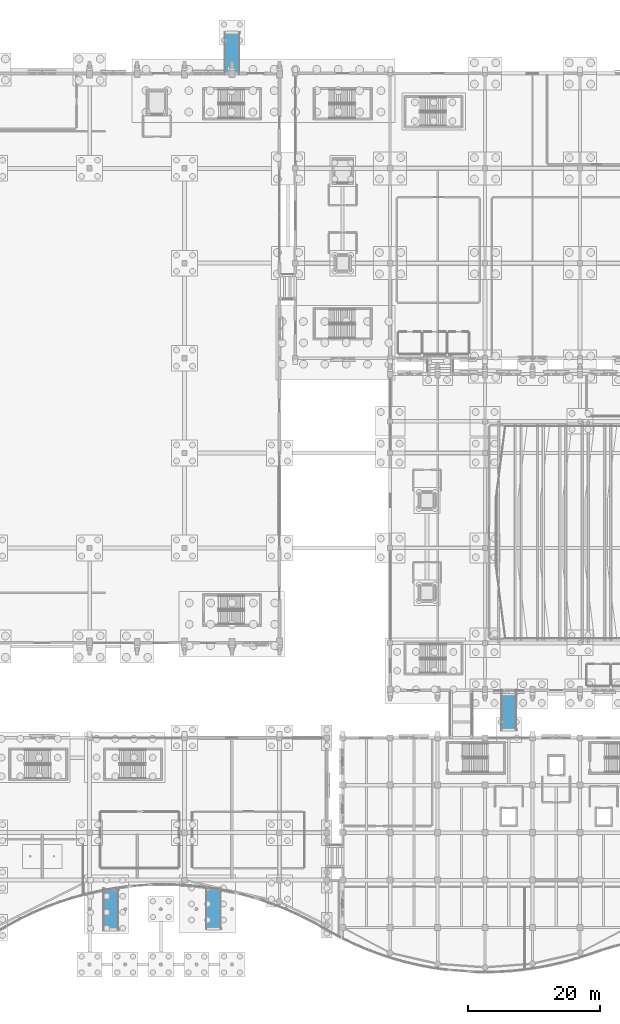
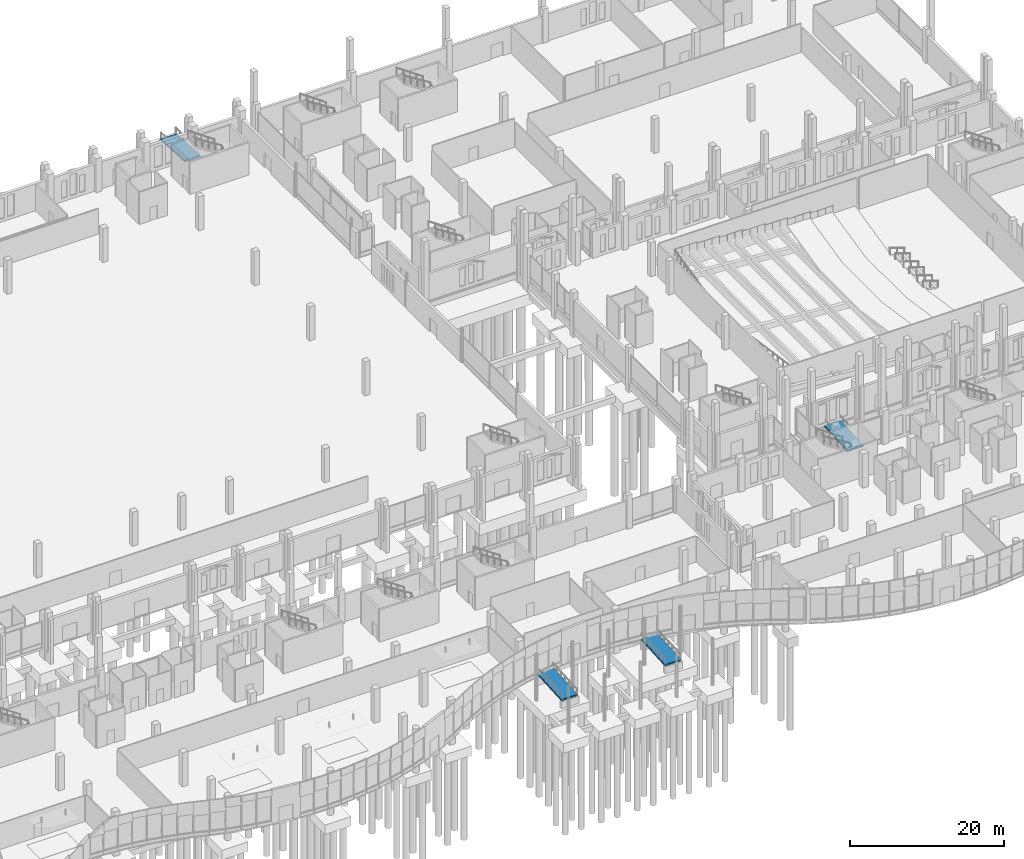
# One storey, part 169 of 192: 4 ramp flights, 4 elements without a shape of their own.
"""IFC4 building model written with IfcOpenShell, lengths in metres."""

from ifc_helpers import new_model, si_unit, direction, frame, origin, place, context, subcontext, project, spatial, triangles, material, layer, layer_set, type_object, element, aggregate, save


model = new_model("IFC4")

# Units and contexts
model_context = context("Model", 3, precision=1e-05, world=origin(), true_north=direction((0.0, 1.0)))
body_context = subcontext(model_context, "Body", "Model", "MODEL_VIEW")
ifc_project = project(units=[si_unit("LENGTHUNIT", "METRE"), si_unit("AREAUNIT", "SQUARE_METRE"), si_unit("VOLUMEUNIT", "CUBIC_METRE"), si_unit("PLANEANGLEUNIT", "RADIAN"), si_unit("MASSUNIT", "GRAM", prefix="KILO")], contexts=[model_context])

# Site, building, storey
site_placement = place(None, origin())
site = spatial("IfcSite", under=ifc_project, at=site_placement, CompositionType="ELEMENT")
building_placement = place(site_placement, origin())
building = spatial("IfcBuilding", under=site, at=building_placement, Name="Cendralis Lancet Convention Centre", CompositionType="ELEMENT")
storey_placement = place(building_placement, origin())
storey = spatial("IfcBuildingStorey", under=building, at=storey_placement, Name="L00", CompositionType="ELEMENT", Elevation=0.0)

# Ramp, ramp flight
ifc_material = material(Name="Concrete G35 (C35/45)", Category="concrete")
ramp_type = type_object("IfcRampType", Name="ARC-RP-PED1", PredefinedType="STRAIGHT_RUN_RAMP", material=ifc_material)
ramp_1_placement = place(storey_placement, origin())
ramp_1 = element("IfcRamp", 1, at=ramp_1_placement, inside=storey, type_object=ramp_type, Name="Accessible Boulevard Forecourt West Ramp RP-01", PredefinedType="STRAIGHT_RUN_RAMP")
ifc_layer = layer(ifc_material, 0.239990234375, Name="Concrete G35 (C35/45)")
ifc_layer_set = layer_set([ifc_layer], Name="Concrete G35 (C35/45)")
ramp_flight_type = type_object("IfcRampFlightType", Name="ARC-RF-FLT1", PredefinedType="STRAIGHT", material=ifc_layer_set)
ramp_flight_1_placement = place(storey_placement, frame((96.800048828125, 6.89990234375, -0.340087890625), z_axis=(0.0, 0.0, 1.0), x_axis=(0.0, 1.0, 0.0)))
ramp_flight_1 = element("IfcRampFlight", 2, at=ramp_flight_1_placement, type_object=ramp_flight_type, Name="Accessible Boulevard Forecourt West Ramp RP-01 Flight", PredefinedType="STRAIGHT", context=body_context, shape_type="Tessellation", body=[
    triangles([(0.0, 0.0, -0.119995), (0.0, 1.199951, -0.23999), (0.0, -1.199951, -0.23999), (0.0, -1.199951, 0.0), (0.0, 1.199951, 0.0), (0.15, 0.0, 0.0), (0.3, -1.199951, 0.0), (0.3, 1.199951, 0.0), (0.15, 0.0, -0.23999), (0.3, -1.199951, -0.23999), (0.3, 1.199951, -0.23999), (3.119507, 0.0, 0.170044), (5.939014, -1.199951, 0.340088), (5.939014, 1.199951, 0.340088), (3.119507, 0.0, -0.069946), (5.939014, -1.199951, 0.100098), (5.939014, 1.199951, 0.100098), (6.089014, 0.0, 0.340088), (6.239014, -1.199951, 0.340088), (6.239014, 1.199951, 0.340088), (6.089014, 0.0, 0.100098), (6.239014, -1.199951, 0.100098), (6.239014, 1.199951, 0.100098), (6.239014, 0.0, 0.220093)], [[2, 3, 1], [3, 4, 1], [4, 5, 1], [5, 2, 1], [4, 7, 6], [7, 8, 6], [8, 5, 6], [5, 4, 6], [10, 3, 9], [3, 2, 9], [2, 11, 9], [11, 10, 9], [3, 10, 7], [3, 7, 4], [2, 8, 11], [2, 5, 8], [7, 13, 12], [13, 14, 12], [14, 8, 12], [8, 7, 12], [16, 10, 15], [10, 11, 15], [11, 17, 15], [17, 16, 15], [10, 16, 13], [10, 13, 7], [11, 14, 17], [11, 8, 14], [13, 19, 18], [19, 20, 18], [20, 14, 18], [14, 13, 18], [22, 16, 21], [16, 17, 21], [17, 23, 21], [23, 22, 21], [16, 22, 19], [16, 19, 13], [17, 20, 23], [17, 14, 20], [22, 23, 24], [23, 20, 24], [20, 19, 24], [19, 22, 24]], closed=True),
])
aggregate(ramp_1, [ramp_flight_1])

ramp_2_placement = place(storey_placement, origin())
ramp_2 = element("IfcRamp", 3, at=ramp_2_placement, inside=storey, type_object=ramp_type, Name="Accessible Boulevard Forecourt East Ramp RP-02", PredefinedType="STRAIGHT_RUN_RAMP")
ramp_flight_2_placement = place(storey_placement, frame((112.39990234375, 7.0, -0.340087890625), z_axis=(0.0, 0.0, 1.0), x_axis=(0.0, 1.0, 0.0)))
ramp_flight_2 = element("IfcRampFlight", 4, at=ramp_flight_2_placement, type_object=ramp_flight_type, Name="Accessible Boulevard Forecourt East Ramp RP-02 Flight", PredefinedType="STRAIGHT", context=body_context, shape_type="Tessellation", body=[
    triangles([(0.0, 0.0, -0.119995), (0.0, 1.199951, -0.23999), (0.0, -1.199951, -0.23999), (0.0, -1.199951, 0.0), (0.0, 1.199951, 0.0), (0.15, 0.0, 0.0), (0.3, -1.199951, 0.0), (0.3, 1.199951, 0.0), (0.15, 0.0, -0.23999), (0.3, -1.199951, -0.23999), (0.3, 1.199951, -0.23999), (3.102539, 0.0, 0.170044), (5.905078, -1.199951, 0.340088), (5.905078, 1.199951, 0.340088), (3.102539, 0.0, -0.069946), (5.905078, -1.199951, 0.100098), (5.905078, 1.199951, 0.100098), (6.055078, 0.0, 0.340088), (6.205078, -1.199951, 0.340088), (6.205078, 1.199951, 0.340088), (6.055078, 0.0, 0.100098), (6.205078, -1.199951, 0.100098), (6.205078, 1.199951, 0.100098), (6.205078, 0.0, 0.220093)], [[2, 3, 1], [3, 4, 1], [4, 5, 1], [5, 2, 1], [4, 7, 6], [7, 8, 6], [8, 5, 6], [5, 4, 6], [10, 3, 9], [3, 2, 9], [2, 11, 9], [11, 10, 9], [3, 10, 7], [3, 7, 4], [2, 8, 11], [2, 5, 8], [7, 13, 12], [13, 14, 12], [14, 8, 12], [8, 7, 12], [16, 10, 15], [10, 11, 15], [11, 17, 15], [17, 16, 15], [10, 16, 13], [10, 13, 7], [11, 14, 17], [11, 8, 14], [13, 19, 18], [19, 20, 18], [20, 14, 18], [14, 13, 18], [22, 16, 21], [16, 17, 21], [17, 23, 21], [23, 22, 21], [16, 22, 19], [16, 19, 13], [17, 20, 23], [17, 14, 20], [22, 23, 24], [23, 20, 24], [20, 19, 24], [19, 22, 24]], closed=True),
])
aggregate(ramp_2, [ramp_flight_2])

ramp_3_placement = place(storey_placement, origin())
ramp_3 = element("IfcRamp", 5, at=ramp_3_placement, inside=storey, type_object=ramp_type, Name="Accessible Plenary Promenade Ramp RP-03", PredefinedType="STRAIGHT_RUN_RAMP")
ramp_flight_3_placement = place(storey_placement, frame((157.199951171875, 37.199951171875, -0.340087890625), z_axis=(0.0, 0.0, 1.0), x_axis=(0.0, 1.0, 0.0)))
ramp_flight_3 = element("IfcRampFlight", 6, at=ramp_flight_3_placement, type_object=ramp_flight_type, Name="Accessible Plenary Promenade Ramp RP-03 Flight", PredefinedType="STRAIGHT", context=body_context, shape_type="Tessellation", body=[
    triangles([(0.0, 0.0, -0.119995), (0.0, 1.199951, -0.23999), (0.0, -1.199951, -0.23999), (0.0, -1.199951, 0.0), (0.0, 1.199951, 0.0), (0.15, 0.0, 0.0), (0.3, -1.199951, 0.0), (0.3, 1.199951, 0.0), (0.15, 0.0, -0.23999), (0.3, -1.199951, -0.23999), (0.3, 1.199951, -0.23999), (3.025024, 0.0, 0.170044), (5.750049, -1.199951, 0.340088), (5.750049, 1.199951, 0.340088), (3.025024, 0.0, -0.069946), (5.750049, -1.199951, 0.100098), (5.750049, 1.199951, 0.100098), (5.900049, 0.0, 0.340088), (6.050049, -1.199951, 0.340088), (6.050049, 1.199951, 0.340088), (5.900049, 0.0, 0.100098), (6.050049, -1.199951, 0.100098), (6.050049, 1.199951, 0.100098), (6.050049, 0.0, 0.220093)], [[2, 3, 1], [3, 4, 1], [4, 5, 1], [5, 2, 1], [4, 7, 6], [7, 8, 6], [8, 5, 6], [5, 4, 6], [10, 3, 9], [3, 2, 9], [2, 11, 9], [11, 10, 9], [3, 10, 7], [3, 7, 4], [2, 8, 11], [2, 5, 8], [7, 13, 12], [13, 14, 12], [14, 8, 12], [8, 7, 12], [16, 10, 15], [10, 11, 15], [11, 17, 15], [17, 16, 15], [10, 16, 13], [10, 13, 7], [11, 14, 17], [11, 8, 14], [13, 19, 18], [19, 20, 18], [20, 14, 18], [14, 13, 18], [22, 16, 21], [16, 17, 21], [17, 23, 21], [23, 22, 21], [16, 22, 19], [16, 19, 13], [17, 20, 23], [17, 14, 20], [22, 23, 24], [23, 20, 24], [20, 19, 24], [19, 22, 24]], closed=True),
])
aggregate(ramp_3, [ramp_flight_3])

ramp_4_placement = place(storey_placement, origin())
ramp_4 = element("IfcRamp", 7, at=ramp_4_placement, inside=storey, type_object=ramp_type, Name="Accessible North Exhibition Concourse Ramp RP-04", PredefinedType="STRAIGHT_RUN_RAMP")
ramp_flight_4_placement = place(storey_placement, frame((115.199951171875, 143.0, -0.340087890625), z_axis=(0.0, 0.0, 1.0), x_axis=(0.0, -1.0, 0.0)))
ramp_flight_4 = element("IfcRampFlight", 8, at=ramp_flight_4_placement, type_object=ramp_flight_type, Name="Accessible North Exhibition Concourse Ramp RP-04 Flight", PredefinedType="STRAIGHT", context=body_context, shape_type="Tessellation", body=[
    triangles([(0.0, 0.0, -0.119995), (0.0, 1.199951, -0.23999), (0.0, -1.199951, -0.23999), (0.0, -1.199951, 0.0), (0.0, 1.199951, 0.0), (0.15, 0.0, 0.0), (0.3, -1.199951, 0.0), (0.3, 1.199951, 0.0), (0.15, 0.0, -0.23999), (0.3, -1.199951, -0.23999), (0.3, 1.199951, -0.23999), (3.125, 0.0, 0.170044), (5.95, -1.199951, 0.340088), (5.95, 1.199951, 0.340088), (3.125, 0.0, -0.069946), (5.95, -1.199951, 0.100098), (5.95, 1.199951, 0.100098), (6.1, 0.0, 0.340088), (6.25, -1.199951, 0.340088), (6.25, 1.199951, 0.340088), (6.1, 0.0, 0.100098), (6.25, -1.199951, 0.100098), (6.25, 1.199951, 0.100098), (6.25, 0.0, 0.220093)], [[2, 3, 1], [3, 4, 1], [4, 5, 1], [5, 2, 1], [4, 7, 6], [7, 8, 6], [8, 5, 6], [5, 4, 6], [10, 3, 9], [3, 2, 9], [2, 11, 9], [11, 10, 9], [3, 10, 7], [3, 7, 4], [2, 8, 11], [2, 5, 8], [7, 13, 12], [13, 14, 12], [14, 8, 12], [8, 7, 12], [16, 10, 15], [10, 11, 15], [11, 17, 15], [17, 16, 15], [10, 16, 13], [10, 13, 7], [11, 14, 17], [11, 8, 14], [13, 19, 18], [19, 20, 18], [20, 14, 18], [14, 13, 18], [22, 16, 21], [16, 17, 21], [17, 23, 21], [23, 22, 21], [16, 22, 19], [16, 19, 13], [17, 20, 23], [17, 14, 20], [22, 23, 24], [23, 20, 24], [20, 19, 24], [19, 22, 24]], closed=True),
])
aggregate(ramp_4, [ramp_flight_4])

save(model, "model.ifc")
